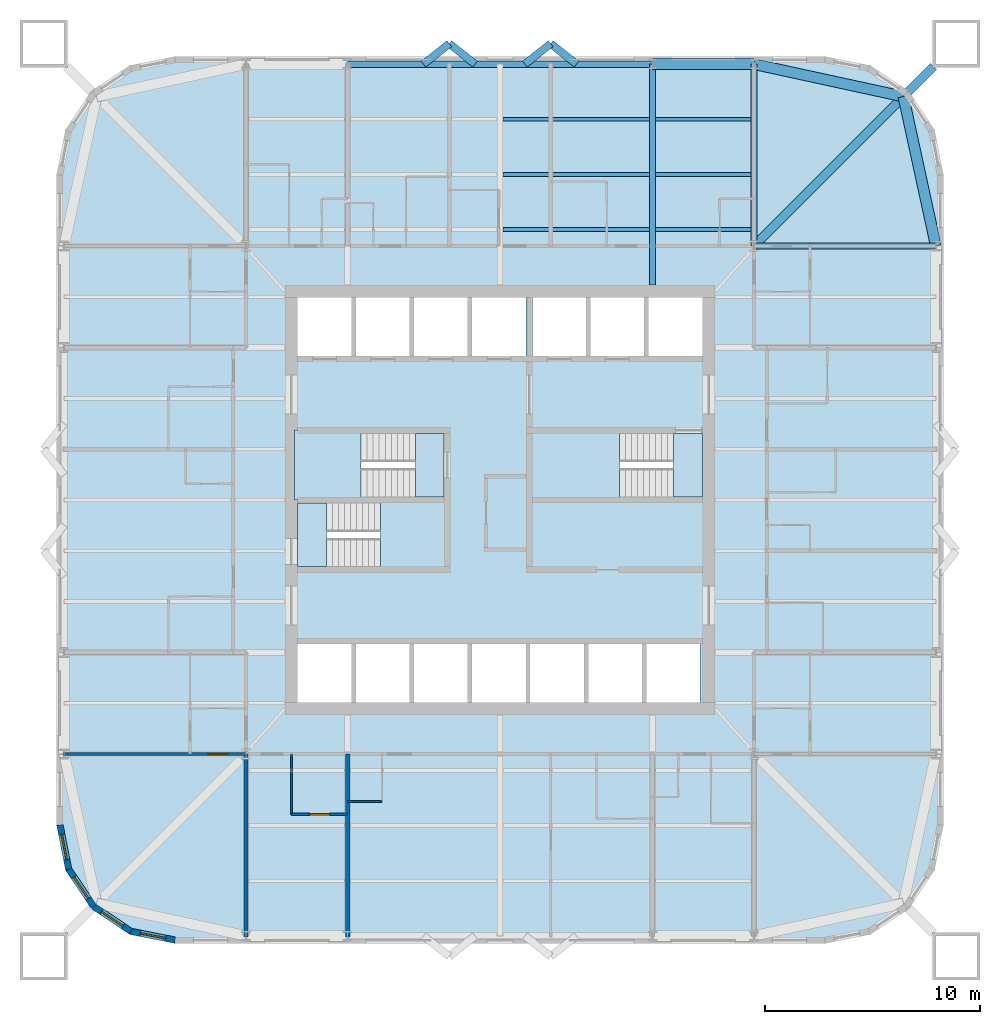
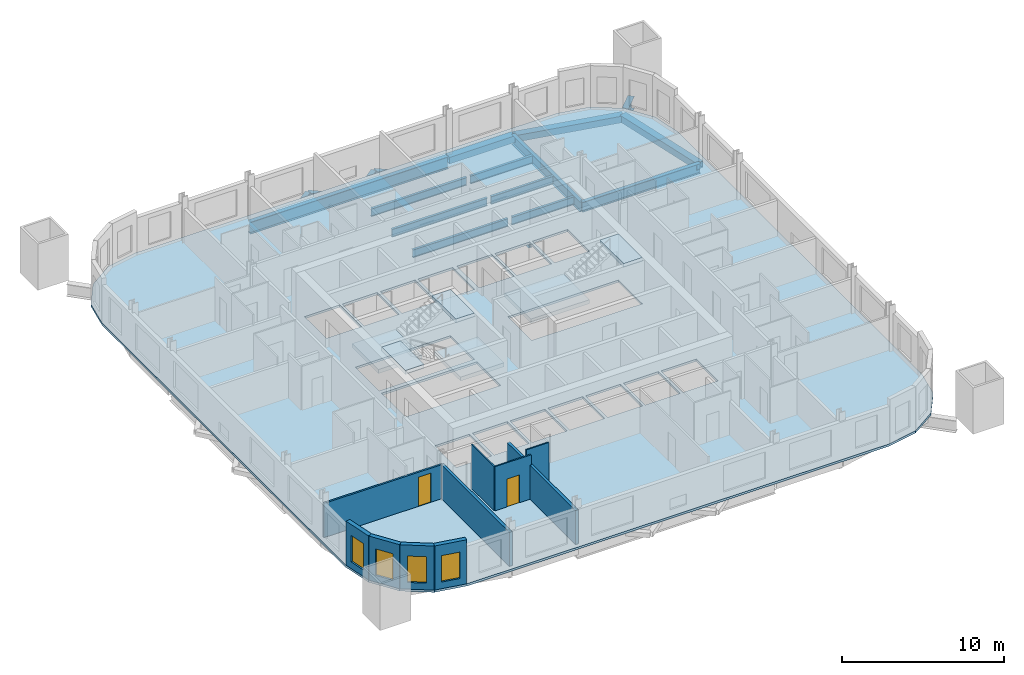
# One storey, part 2 of 9: 18 beams, 10 walls, 7 slabs, 4 windows, 2 doors, 6 openings, 3 elements without a shape of their own.
"""IFC4 building model written with IfcOpenShell, lengths in metres."""

import ifcopenshell
import ifcopenshell.guid

model = None  # the IFC model being written
_history = None  # IfcOwnerHistory: only IFC2X3 demands one
_inside = {}  # id of a spatial element -> (the spatial element, [elements in it])
_under = {}  # id of a project, library or spatial element -> (it, [spatial elements below it])
_declared = {}  # id of a project -> (the project, [libraries it declares])
_typed = {}  # id of a type object -> (the type object, [elements of that type])
_made_of = {}  # id of a material, layer set ... -> (it, [elements and type objects made of it])


def new_model(schema):
    """Start an empty IFC model of exactly this schema.

    Asked for "IFC4X3", IfcOpenShell would pick the latest addendum, in which some entities
    have other attributes; the version numbers below select the first issue.
    IFC2X3 requires an IfcOwnerHistory on every rooted entity: one is made here for all.
    """
    global model, _history
    if schema == "IFC4X3":
        model = ifcopenshell.file(schema_version=(4, 3, 0, 0))
    else:
        model = ifcopenshell.file(schema=schema)
    _inside.clear()
    _under.clear()
    _declared.clear()
    _typed.clear()
    _made_of.clear()
    _history = None
    if model.schema == "IFC2X3":
        org = make("IfcOrganization", Name="unknown")
        user = make(
            "IfcPersonAndOrganization",
            ThePerson=make("IfcPerson", FamilyName="unknown"),
            TheOrganization=org,
        )
        app = make(
            "IfcApplication",
            ApplicationDeveloper=org,
            Version="unknown",
            ApplicationFullName="unknown",
            ApplicationIdentifier="unknown",
        )
        _history = make(
            "IfcOwnerHistory",
            OwningUser=user,
            OwningApplication=app,
            ChangeAction="ADDED",
            CreationDate=0,
        )
    return model


def make(cls, **values):
    """One entity of the class cls with the attributes given. An attribute that is None is left unset."""
    return model.create_entity(
        cls, **{name: value for name, value in values.items() if value is not None}
    )


def rooted(cls, **values):
    """An entity with a GlobalId (a new one), such as an element, a storey or a relation."""
    return make(cls, GlobalId=ifcopenshell.guid.new(), OwnerHistory=_history, **values)


def si_unit(unit_type, name, prefix=None):
    """IfcSIUnit, for example si_unit("LENGTHUNIT", "METRE", prefix="MILLI")."""
    return make("IfcSIUnit", UnitType=unit_type, Prefix=prefix, Name=name)


def assignment(units):
    """IfcUnitAssignment: the units of a project."""
    return None if units is None else make("IfcUnitAssignment", Units=units)


def point(xyz):
    """IfcCartesianPoint."""
    return None if xyz is None else make("IfcCartesianPoint", Coordinates=xyz)


def direction(xyz):
    """IfcDirection."""
    return None if xyz is None else make("IfcDirection", DirectionRatios=xyz)


def frame(location, z_axis=None, x_axis=None):
    """IfcAxis2Placement3D, a coordinate frame: its origin and axes. An axis left out is left unset."""
    return make(
        "IfcAxis2Placement3D",
        Location=point(location),
        Axis=direction(z_axis),
        RefDirection=direction(x_axis),
    )


def frame_2d(location, x_axis=None):
    """IfcAxis2Placement2D, a coordinate frame in the plane: its origin and x axis."""
    return make(
        "IfcAxis2Placement2D", Location=point(location), RefDirection=direction(x_axis)
    )


def origin():
    """The frame at (0, 0, 0) with its axes left unset."""
    return frame((0.0, 0.0, 0.0))


def origin_2d():
    """The frame at (0, 0) in the plane with its x axis left unset."""
    return frame_2d((0.0, 0.0))


def place(relative_to, where):
    """IfcLocalPlacement: puts the frame where relative to a parent placement (None: the world)."""
    return make(
        "IfcLocalPlacement", PlacementRelTo=relative_to, RelativePlacement=where
    )


def context(
    kind, dimensions, precision=None, world=None, true_north=None, identifier=None
):
    """IfcGeometricRepresentationContext, for example the 3D "Model" context."""
    return make(
        "IfcGeometricRepresentationContext",
        ContextIdentifier=identifier,
        ContextType=kind,
        CoordinateSpaceDimension=dimensions,
        Precision=precision,
        WorldCoordinateSystem=world,
        TrueNorth=true_north,
    )


def subcontext(parent, identifier, kind, view, scale=None):
    """IfcGeometricRepresentationSubContext, for example "Body" below "Model"."""
    return make(
        "IfcGeometricRepresentationSubContext",
        ContextIdentifier=identifier,
        ContextType=kind,
        ParentContext=parent,
        TargetScale=scale,
        TargetView=view,
    )


def project(units=None, contexts=None):
    """IfcProject with its units and contexts."""
    return rooted(
        "IfcProject",
        Name="project",
        RepresentationContexts=contexts,
        UnitsInContext=assignment(units),
    )


def spatial(cls, under=None, at=None, **own):
    """A site, building, storey or space (cls), placed at a placement, below another one or the project."""
    s = rooted(cls, ObjectPlacement=at, **own)
    if under is not None:
        _under.setdefault(under.id(), (under, []))[1].append(s)
    return s


def polyline(points):
    """IfcPolyline through the points."""
    return make("IfcPolyline", Points=[point(p) for p in points])


def profile(cls, at=None, kind="AREA", **sizes):
    """A parametric profile (cls). Its sizes go by their IFC names, for example OverallWidth=200.0."""
    return make(cls, ProfileType=kind, Position=at, **sizes)


def rectangle(**sizes):
    """IfcRectangleProfileDef."""
    return profile("IfcRectangleProfileDef", **sizes)


def hollow_rectangle(**sizes):
    """IfcRectangleHollowProfileDef."""
    return profile("IfcRectangleHollowProfileDef", **sizes)


def i_section(**sizes):
    """IfcIShapeProfileDef."""
    return profile("IfcIShapeProfileDef", **sizes)


def outline(outer, holes=None, kind="AREA"):
    """IfcArbitraryClosedProfileDef: a profile drawn as a closed curve; with holes, ...WithVoids."""
    if holes is None:
        return make("IfcArbitraryClosedProfileDef", ProfileType=kind, OuterCurve=outer)
    return make(
        "IfcArbitraryProfileDefWithVoids",
        ProfileType=kind,
        OuterCurve=outer,
        InnerCurves=holes,
    )


def extrude(swept, where, along, depth):
    """IfcExtrudedAreaSolid: the profile swept, set in the frame where, extruded along a direction by depth."""
    return make(
        "IfcExtrudedAreaSolid",
        SweptArea=swept,
        Position=where,
        ExtrudedDirection=direction(along),
        Depth=depth,
    )


def shape(context_of_items, identifier, shape_type, items):
    """IfcShapeRepresentation: the items that make up one representation, for example the "Body"."""
    return make(
        "IfcShapeRepresentation",
        ContextOfItems=context_of_items,
        RepresentationIdentifier=identifier,
        RepresentationType=shape_type,
        Items=items,
    )


def material(Name=None, Category=None):
    """IfcMaterial."""
    return make("IfcMaterial", Name=Name, Category=Category)


def layer(
    of_material, thickness, ventilated=None, Name=None, Category=None, Priority=None
):
    """IfcMaterialLayer: one layer of a wall or slab, of a material (None: an air gap)."""
    return make(
        "IfcMaterialLayer",
        Material=of_material,
        LayerThickness=thickness,
        IsVentilated=ventilated,
        Name=Name,
        Category=Category,
        Priority=Priority,
    )


def layer_set(layers, Name=None):
    """IfcMaterialLayerSet."""
    return make("IfcMaterialLayerSet", MaterialLayers=layers, LayerSetName=Name)


def material_profile(
    of_material, cross_section, Name=None, Category=None, Priority=None
):
    """IfcMaterialProfile: a cross section and its material."""
    return make(
        "IfcMaterialProfile",
        Name=Name,
        Material=of_material,
        Profile=cross_section,
        Priority=Priority,
        Category=Category,
    )


def profile_set(profiles, Name=None, composite=None):
    """IfcMaterialProfileSet."""
    return make(
        "IfcMaterialProfileSet",
        Name=Name,
        MaterialProfiles=profiles,
        CompositeProfile=composite,
    )


def made_of(thing, what):
    """Note that an element or type object is made of a material, layer set ...; save() writes the relation."""
    if what is not None:
        _made_of.setdefault(what.id(), (what, []))[1].append(thing)
    return thing


def type_object(cls, material=None, **own):
    """A type object (cls), such as IfcWallType, which elements share."""
    return made_of(rooted(cls, **own), material)


def element(
    cls,
    number,
    at=None,
    inside=None,
    cuts=None,
    type_object=None,
    material=None,
    context=None,
    identifier="Body",
    shape_type=None,
    held_by="IfcProductDefinitionShape",
    body=None,
    shapes=None,
    **own,
):
    """One element of the class cls, such as IfcWall. Its Tag is "e" and its number.

    at: its placement. inside: the storey or other place that contains it. cuts: it is an
    opening in that element (IfcRelVoidsElement). A single representation is given by context,
    identifier, shape_type and body (its items); several are given by shapes. held_by: the class
    of the entity that holds the representations. save() writes the other relations.
    """
    e = rooted(cls, Tag="e%d" % number, ObjectPlacement=at, **own)
    if body is not None:
        shapes = [shape(context, identifier, shape_type, body)]
    if shapes is not None:
        e.Representation = make(held_by, Representations=shapes)
    if inside is not None:
        _inside.setdefault(inside.id(), (inside, []))[1].append(e)
    if cuts is not None:
        rooted(
            "IfcRelVoidsElement", RelatingBuildingElement=cuts, RelatedOpeningElement=e
        )
    if type_object is not None:
        _typed.setdefault(type_object.id(), (type_object, []))[1].append(e)
    return made_of(e, material)


def fill(opening, filler):
    """IfcRelFillsElement: the door or window that sits in an opening."""
    return rooted(
        "IfcRelFillsElement",
        RelatingOpeningElement=opening,
        RelatedBuildingElement=filler,
    )


def aggregate(whole, parts):
    """IfcRelAggregates: a whole, such as a stair, and the parts it consists of."""
    return rooted("IfcRelAggregates", RelatingObject=whole, RelatedObjects=parts)


def save(model, path):
    """Write the relations noted so far, then the file.

    IfcRelAggregates (storeys below a building ...), IfcRelContainedInSpatialStructure (elements
    in a storey), IfcRelDefinesByType, IfcRelAssociatesMaterial and IfcRelDeclares: one each for
    every whole, place, type object, material and project.
    """
    for whole, parts in _under.values():
        aggregate(whole, parts)
    for where, things in _inside.values():
        rooted(
            "IfcRelContainedInSpatialStructure",
            RelatedElements=things,
            RelatingStructure=where,
        )
    for kind, things in _typed.values():
        rooted("IfcRelDefinesByType", RelatedObjects=things, RelatingType=kind)
    for what, things in _made_of.values():
        rooted("IfcRelAssociatesMaterial", RelatedObjects=things, RelatingMaterial=what)
    for by, libraries in _declared.values():
        rooted("IfcRelDeclares", RelatingContext=by, RelatedDefinitions=libraries)
    model.write(path)


model = new_model("IFC4")

# Units and contexts
model_context = context("Model", 3, precision=1e-05, world=origin(), true_north=direction((0.0, 1.0)))
body_context = subcontext(model_context, "Body", "Model", "MODEL_VIEW")
ifc_project = project(units=[si_unit("LENGTHUNIT", "METRE"), si_unit("AREAUNIT", "SQUARE_METRE"), si_unit("VOLUMEUNIT", "CUBIC_METRE"), si_unit("PLANEANGLEUNIT", "RADIAN"), si_unit("MASSUNIT", "GRAM", prefix="KILO")], contexts=[model_context])

# Site, building, storey
site_placement = place(None, origin())
site = spatial("IfcSite", under=ifc_project, at=site_placement, CompositionType="ELEMENT")
building_placement = place(site_placement, origin())
building = spatial("IfcBuilding", under=site, at=building_placement, Name="Turquesa Mirador Hotel Tower", CompositionType="ELEMENT")
storey_placement = place(building_placement, frame((0.0, 0.0, 121.39990234375)))
storey = spatial("IfcBuildingStorey", under=building, at=storey_placement, Name="L32", CompositionType="ELEMENT", Elevation=121.39990234375)

# Beams
ifc_material_1 = material(Name="Steel ASTM A572 Grade 50", Category="steel")
ifc_material_profile_1 = material_profile(ifc_material_1, hollow_rectangle(XDim=0.5, YDim=0.5, WallThickness=0.01611328125, at=origin_2d()), Name="BOX500X500X16")
ifc_profile_set_1 = profile_set([ifc_material_profile_1], Name="Steel ASTM A572 Grade 50")
beam_type_1 = type_object("IfcBeamType", Name="BEAM BOX500X500X16", PredefinedType="BEAM", material=ifc_profile_set_1)
beam_1_placement = place(storey_placement, frame((62.080078125, 65.25, -0.419921875), z_axis=(1.0, 0.0, 0.0), x_axis=(0.0, 1.0, 0.0)))
element("IfcBeam", 1, at=beam_1_placement, inside=storey, type_object=beam_type_1, Name="EB-L32-N-R", PredefinedType="BEAM", context=body_context, shape_type="SweptSolid", body=[
    extrude(hollow_rectangle(XDim=0.5, YDim=0.5, WallThickness=0.01611328125, at=origin_2d()), origin(), (0.0, 0.0, 1.0), 4.719970703125),
])
for number, where, z_axis, x_axis, name in (
    (2, (75.25, 56.800048828125, -0.419921875), (-0.212328336885, 0.977198381781, 0.0), (-0.977198381781, -0.212328336885, 0.0), "KE-L32-1-0"),
    (3, (73.74169921875, 63.74169921875, -0.419921875), (-0.977198381781, 0.212328336885, 0.0), (-0.212328336885, -0.977198381781, 0.0), "KE-L32-1-1"),
):
    element("IfcBeam", number, at=place(storey_placement, frame(where, z_axis=z_axis, x_axis=x_axis)), inside=storey, type_object=beam_type_1, Name=name, PredefinedType="BEAM", context=body_context, shape_type="SweptSolid", body=[
        extrude(hollow_rectangle(XDim=0.5, YDim=0.5, WallThickness=0.01611328125, at=origin_2d()), origin(), (0.0, 0.0, 1.0), 7.103515625),
    ])
ifc_material_2 = material(Name="Steel ASTM A992 Grade 50", Category="steel")
ifc_material_profile_2 = material_profile(ifc_material_2, i_section(OverallWidth=0.177978515625, OverallDepth=0.599365234375, WebThickness=0.010009765625, FlangeThickness=0.012939453125, at=origin_2d()), Name="W24X55")
ifc_profile_set_2 = profile_set([ifc_material_profile_2], Name="Steel ASTM A992 Grade 50")
beam_type_2 = type_object("IfcBeamType", Name="BEAM W24X55", PredefinedType="BEAM", material=ifc_profile_set_2)
beam_2_placement = place(storey_placement, frame((55.13330078125, 57.56201171875, -0.4697265625), z_axis=(1.0, 0.0, 0.0), x_axis=(0.0, 1.0, 0.0)))
element("IfcBeam", 4, at=beam_2_placement, inside=storey, type_object=beam_type_2, Name="IB-L32-N-1-2", PredefinedType="BEAM", context=body_context, shape_type="SweptSolid", body=[
    extrude(i_section(OverallWidth=0.177978515625, OverallDepth=0.599365234375, WebThickness=0.010009765625, FlangeThickness=0.012939453125, at=origin_2d()), origin(), (0.0, 0.0, 1.0), 6.813232421875),
])
beam_3_placement = place(storey_placement, frame((62.21337890625, 57.56201171875, -0.4697265625), z_axis=(1.0, 0.0, 0.0), x_axis=(0.0, 1.0, 0.0)))
element("IfcBeam", 5, at=beam_3_placement, inside=storey, type_object=beam_type_2, Name="IB-L32-N-1-3", PredefinedType="BEAM", context=body_context, shape_type="SweptSolid", body=[
    extrude(i_section(OverallWidth=0.177978515625, OverallDepth=0.599365234375, WebThickness=0.010009765625, FlangeThickness=0.012939453125, at=origin_2d()), origin(), (0.0, 0.0, 1.0), 4.453369140625),
])
beam_4_placement = place(storey_placement, frame((55.13330078125, 60.125, -0.4697265625), z_axis=(1.0, 0.0, 0.0), x_axis=(0.0, 1.0, 0.0)))
element("IfcBeam", 6, at=beam_4_placement, inside=storey, type_object=beam_type_2, Name="IB-L32-N-2-2", PredefinedType="BEAM", context=body_context, shape_type="SweptSolid", body=[
    extrude(i_section(OverallWidth=0.177978515625, OverallDepth=0.599365234375, WebThickness=0.010009765625, FlangeThickness=0.012939453125, at=origin_2d()), origin(), (0.0, 0.0, 1.0), 6.813232421875),
])
beam_5_placement = place(storey_placement, frame((62.21337890625, 60.125, -0.4697265625), z_axis=(1.0, 0.0, 0.0), x_axis=(0.0, 1.0, 0.0)))
element("IfcBeam", 7, at=beam_5_placement, inside=storey, type_object=beam_type_2, Name="IB-L32-N-2-3", PredefinedType="BEAM", context=body_context, shape_type="SweptSolid", body=[
    extrude(i_section(OverallWidth=0.177978515625, OverallDepth=0.599365234375, WebThickness=0.010009765625, FlangeThickness=0.012939453125, at=origin_2d()), origin(), (0.0, 0.0, 1.0), 4.453369140625),
])
beam_6_placement = place(storey_placement, frame((55.13330078125, 62.68798828125, -0.4697265625), z_axis=(1.0, 0.0, 0.0), x_axis=(0.0, 1.0, 0.0)))
element("IfcBeam", 8, at=beam_6_placement, inside=storey, type_object=beam_type_2, Name="IB-L32-N-3-2", PredefinedType="BEAM", context=body_context, shape_type="SweptSolid", body=[
    extrude(i_section(OverallWidth=0.177978515625, OverallDepth=0.599365234375, WebThickness=0.010009765625, FlangeThickness=0.012939453125, at=origin_2d()), origin(), (0.0, 0.0, 1.0), 6.813232421875),
])
beam_7_placement = place(storey_placement, frame((62.21337890625, 62.68798828125, -0.4697265625), z_axis=(1.0, 0.0, 0.0), x_axis=(0.0, 1.0, 0.0)))
element("IfcBeam", 9, at=beam_7_placement, inside=storey, type_object=beam_type_2, Name="IB-L32-N-3-3", PredefinedType="BEAM", context=body_context, shape_type="SweptSolid", body=[
    extrude(i_section(OverallWidth=0.177978515625, OverallDepth=0.599365234375, WebThickness=0.010009765625, FlangeThickness=0.012939453125, at=origin_2d()), origin(), (0.0, 0.0, 1.0), 4.453369140625),
])
ifc_material_3 = material(Name="Steel ASTM A992 Grade 50", Category="steel")
ifc_material_profile_3 = material_profile(ifc_material_3, i_section(OverallWidth=0.2666015625, OverallDepth=0.7568359375, WebThickness=0.013916015625, FlangeThickness=0.019287109375, at=origin_2d()), Name="W30X108")
ifc_profile_set_3 = profile_set([ifc_material_profile_3], Name="Steel ASTM A992 Grade 50")
beam_type_3 = type_object("IfcBeamType", Name="BEAM W30X108", PredefinedType="BEAM", material=ifc_profile_set_3)
beam_8_placement = place(storey_placement, frame((62.080078125, 65.25, -0.54833984375), z_axis=(0.0, -1.0, 0.0), x_axis=(1.0, 0.0, 0.0)))
element("IfcBeam", 10, at=beam_8_placement, inside=storey, type_object=beam_type_3, Name="GD-L32-N-+7.08", PredefinedType="BEAM", context=body_context, shape_type="SweptSolid", body=[
    extrude(i_section(OverallWidth=0.2666015625, OverallDepth=0.7568359375, WebThickness=0.013916015625, FlangeThickness=0.019287109375, at=origin_2d()), origin(), (0.0, 0.0, 1.0), 10.25),
])
for number, where, z_axis, x_axis, name in (
    (11, (66.800048828125, 65.25, -0.54833984375), (0.0, -1.0, 0.0), (1.0, 0.0, 0.0), "GK-L32-N-+11.80"),
    (12, (75.25, 56.800048828125, -0.54833984375), (-1.0, 0.0, 0.0), (0.0, -1.0, 0.0), "GK-L32-E-+11.80"),
):
    element("IfcBeam", number, at=place(storey_placement, frame(where, z_axis=z_axis, x_axis=x_axis)), inside=storey, type_object=beam_type_3, Name=name, PredefinedType="BEAM", context=body_context, shape_type="SweptSolid", body=[
        extrude(i_section(OverallWidth=0.2666015625, OverallDepth=0.7568359375, WebThickness=0.013916015625, FlangeThickness=0.019287109375, at=origin_2d()), origin(), (0.0, 0.0, 1.0), 8.449951171875),
    ])
ifc_material_4 = material(Name="Steel ASTM A992 Grade 50", Category="steel")
ifc_material_profile_4 = material_profile(ifc_material_4, i_section(OverallWidth=0.3046875, OverallDepth=0.911865234375, WebThickness=0.015869140625, FlangeThickness=0.02392578125, at=origin_2d()), Name="W36X150")
ifc_profile_set_4 = profile_set([ifc_material_profile_4], Name="Steel ASTM A992 Grade 50")
beam_type_4 = type_object("IfcBeamType", Name="BEAM W36X150", PredefinedType="BEAM", material=ifc_profile_set_4)
beam_9_placement = place(storey_placement, frame((47.919921875, 65.25, -0.625732421875), z_axis=(1.0, 0.0, 0.0), x_axis=(0.0, 1.0, 0.0)))
element("IfcBeam", 13, at=beam_9_placement, inside=storey, type_object=beam_type_4, Name="EB-L32-N-C", PredefinedType="BEAM", context=body_context, shape_type="SweptSolid", body=[
    extrude(i_section(OverallWidth=0.3046875, OverallDepth=0.911865234375, WebThickness=0.015869140625, FlangeThickness=0.02392578125, at=origin_2d()), origin(), (0.0, 0.0, 1.0), 14.16015625),
])
ifc_material_5 = material(Name="Steel ASTM A992 Grade 50", Category="steel")
ifc_material_profile_5 = material_profile(ifc_material_5, i_section(OverallWidth=0.419189453125, OverallDepth=0.927001953125, WebThickness=0.019287109375, FlangeThickness=0.031982421875, at=origin_2d()), Name="W36X231")
ifc_profile_set_5 = profile_set([ifc_material_profile_5], Name="Steel ASTM A992 Grade 50")
beam_type_5 = type_object("IfcBeamType", Name="BEAM W36X231", PredefinedType="BEAM", material=ifc_profile_set_5)
beam_10_placement = place(storey_placement, frame((66.800048828125, 56.800048828125, -0.633544921875), z_axis=(0.707106781187, 0.707106781187, 0.0), x_axis=(-0.707106781187, 0.707106781187, 0.0)))
element("IfcBeam", 14, at=beam_10_placement, inside=storey, type_object=beam_type_5, Name="KD-L32-1", PredefinedType="BEAM", context=body_context, shape_type="SweptSolid", body=[
    extrude(i_section(OverallWidth=0.419189453125, OverallDepth=0.927001953125, WebThickness=0.019287109375, FlangeThickness=0.031982421875, at=origin_2d()), origin(), (0.0, 0.0, 1.0), 11.80859375),
])
ifc_material_6 = material(Name="Steel ASTM A500 Grade C", Category="steel")
ifc_material_profile_6 = material_profile(ifc_material_6, hollow_rectangle(XDim=0.355712890625, YDim=0.355712890625, WallThickness=0.0146484375, at=origin_2d()), Name="HSS14X14X5/8")
ifc_profile_set_6 = profile_set([ifc_material_profile_6], Name="Steel ASTM A500 Grade C")
beam_type_6 = type_object("IfcBeamType", Name="BRACE STRUT HSS14X14X5/8", PredefinedType="BEAM", material=ifc_profile_set_6)
beam_11_placement = place(storey_placement, frame((52.64453125, 66.199951171875, -0.34765625), z_axis=(-0.784110506071, -0.620621232531, 0.0), x_axis=(0.620621232531, -0.784110506071, 0.0)))
element("IfcBeam", 15, at=beam_11_placement, inside=storey, type_object=beam_type_6, Name="Brace strut", PredefinedType="BEAM", context=body_context, shape_type="SweptSolid", body=[
    extrude(hollow_rectangle(XDim=0.355712890625, YDim=0.355712890625, WallThickness=0.0146484375, at=origin_2d()), origin(), (0.0, 0.0, 1.0), 1.53076171875),
])
for number, where, z_axis, x_axis, name in (
    (16, (52.64453125, 66.199951171875, -0.34765625), (0.784049059149, -0.620698858423, 0.0), (0.620698858423, 0.784049059149, 0.0), "Brace strut"),
    (17, (57.35546875, 66.199951171875, -0.34765625), (-0.784049059149, -0.620698858423, 0.0), (0.620698858423, -0.784049059149, 0.0), "Brace strut"),
):
    element("IfcBeam", number, at=place(storey_placement, frame(where, z_axis=z_axis, x_axis=x_axis)), inside=storey, type_object=beam_type_6, Name=name, PredefinedType="BEAM", context=body_context, shape_type="SweptSolid", body=[
        extrude(hollow_rectangle(XDim=0.355712890625, YDim=0.355712890625, WallThickness=0.0146484375, at=origin_2d()), origin(), (0.0, 0.0, 1.0), 1.530517578125),
    ])
beam_12_placement = place(storey_placement, frame((57.35546875, 66.199951171875, -0.34765625), z_axis=(0.784110506071, -0.620621232531, 0.0), x_axis=(0.620621232531, 0.784110506071, 0.0)))
element("IfcBeam", 18, at=beam_12_placement, inside=storey, type_object=beam_type_6, Name="Brace strut", PredefinedType="BEAM", context=body_context, shape_type="SweptSolid", body=[
    extrude(hollow_rectangle(XDim=0.355712890625, YDim=0.355712890625, WallThickness=0.0146484375, at=origin_2d()), origin(), (0.0, 0.0, 1.0), 1.53076171875),
])

# Slab
ifc_material_7 = material(Name="Concrete C28/35", Category="concrete")
ifc_layer_1 = layer(ifc_material_7, 0.169921875)
ifc_layer_set_1 = layer_set([ifc_layer_1], Name="COMPOSITE FLOOR SLAB 170")
slab_type_1 = type_object("IfcSlabType", Name="COMPOSITE FLOOR SLAB 170", PredefinedType="FLOOR", material=ifc_layer_set_1)
slab_1_placement = place(storey_placement, frame((0.0, 0.0, -0.169921875)))
element("IfcSlab", 19, at=slab_1_placement, inside=storey, type_object=slab_type_1, Name="Floor slab L32", PredefinedType="FLOOR", context=body_context, shape_type="SweptSolid", body=[
    extrude(outline(polyline([(70.10009765625, 24.39990234375), (72.204833984375, 24.818603515625), (73.989013671875, 26.010986328125), (75.181396484375, 27.795166015625), (75.60009765625, 29.89990234375), (75.60009765625, 60.10009765625), (75.181396484375, 62.204833984375), (73.989013671875, 63.989013671875), (72.204833984375, 65.181396484375), (70.10009765625, 65.60009765625), (39.89990234375, 65.60009765625), (37.795166015625, 65.181396484375), (36.010986328125, 63.989013671875), (34.818603515625, 62.204833984375), (34.39990234375, 60.10009765625), (34.39990234375, 29.89990234375), (34.818603515625, 27.795166015625), (36.010986328125, 26.010986328125), (37.795166015625, 24.818603515625), (39.89990234375, 24.39990234375), (70.10009765625, 24.39990234375)]), holes=[polyline([(45.60009765625, 51.699951171875), (48.10009765625, 51.699951171875), (48.10009765625, 54.39990234375), (45.60009765625, 54.39990234375), (45.60009765625, 51.699951171875)]), polyline([(48.300048828125, 51.699951171875), (50.800048828125, 51.699951171875), (50.800048828125, 54.39990234375), (48.300048828125, 54.39990234375), (48.300048828125, 51.699951171875)]), polyline([(51.0, 51.699951171875), (53.5, 51.699951171875), (53.5, 54.39990234375), (51.0, 54.39990234375), (51.0, 51.699951171875)]), polyline([(53.699951171875, 51.699951171875), (56.199951171875, 51.699951171875), (56.199951171875, 54.39990234375), (53.699951171875, 54.39990234375), (53.699951171875, 51.699951171875)]), polyline([(56.5, 51.699951171875), (59.0, 51.699951171875), (59.0, 54.39990234375), (56.5, 54.39990234375), (56.5, 51.699951171875)]), polyline([(59.199951171875, 51.699951171875), (61.699951171875, 51.699951171875), (61.699951171875, 54.39990234375), (59.199951171875, 54.39990234375), (59.199951171875, 51.699951171875)]), polyline([(45.60009765625, 35.60009765625), (48.10009765625, 35.60009765625), (48.10009765625, 38.300048828125), (45.60009765625, 38.300048828125), (45.60009765625, 35.60009765625)]), polyline([(48.300048828125, 35.60009765625), (50.800048828125, 35.60009765625), (50.800048828125, 38.300048828125), (48.300048828125, 38.300048828125), (48.300048828125, 35.60009765625)]), polyline([(51.0, 35.60009765625), (53.5, 35.60009765625), (53.5, 38.300048828125), (51.0, 38.300048828125), (51.0, 35.60009765625)]), polyline([(53.699951171875, 35.60009765625), (56.199951171875, 35.60009765625), (56.199951171875, 38.300048828125), (53.699951171875, 38.300048828125), (53.699951171875, 35.60009765625)]), polyline([(56.39990234375, 35.60009765625), (58.89990234375, 35.60009765625), (58.89990234375, 38.300048828125), (56.39990234375, 38.300048828125), (56.39990234375, 35.60009765625)]), polyline([(59.10009765625, 35.60009765625), (61.60009765625, 35.60009765625), (61.60009765625, 38.300048828125), (59.10009765625, 38.300048828125), (59.10009765625, 35.60009765625)]), polyline([(61.800048828125, 35.60009765625), (64.300048828125, 35.60009765625), (64.300048828125, 38.300048828125), (61.800048828125, 38.300048828125), (61.800048828125, 35.60009765625)]), polyline([(45.60009765625, 45.14990234375), (52.39990234375, 45.14990234375), (52.39990234375, 48.10009765625), (45.60009765625, 48.10009765625), (45.60009765625, 45.14990234375)]), polyline([(45.60009765625, 41.89990234375), (52.39990234375, 41.89990234375), (52.39990234375, 44.85009765625), (45.60009765625, 44.85009765625), (45.60009765625, 41.89990234375)]), polyline([(56.5, 45.14990234375), (64.39990234375, 45.14990234375), (64.39990234375, 48.10009765625), (56.5, 48.10009765625), (56.5, 45.14990234375)]), polyline([(61.89990234375, 51.699951171875), (64.39990234375, 51.699951171875), (64.39990234375, 54.39990234375), (61.89990234375, 54.39990234375), (61.89990234375, 51.699951171875)])]), origin(), (0.0, 0.0, 1.0), 0.169921875),
])

# Stair, slabs
ifc_material_8 = material(Name="Concrete C35/45", Category="concrete")
stair_type = type_object("IfcStairType", Name="ESCAPE STAIR CORE", PredefinedType="HALF_TURN_STAIR", material=ifc_material_8)
stair_1_placement = place(storey_placement, origin())
stair_1 = element("IfcStair", 20, at=stair_1_placement, inside=storey, type_object=stair_type, Name="Stair ST1 L32 to L33", PredefinedType="HALF_TURN_STAIR")
ifc_material_9 = material(Name="Concrete C35/45", Category="concrete")
ifc_layer_2 = layer(ifc_material_9, 0.300048828125)
ifc_layer_set_2 = layer_set([ifc_layer_2], Name="STAIR LANDING 300")
slab_type_2 = type_object("IfcSlabType", Name="STAIR LANDING 300", PredefinedType="LANDING", material=ifc_layer_set_2)
slab_2_placement = place(storey_placement, frame((0.0, 0.0, 1.4501953125)))
slab_2 = element("IfcSlab", 21, at=slab_2_placement, type_object=slab_type_2, Name="ST1 landing 1", PredefinedType="LANDING", context=body_context, shape_type="SweptSolid", body=[
    extrude(outline(polyline([(45.449951171875, 45.0), (48.550048828125, 45.0), (48.550048828125, 48.25), (45.449951171875, 48.25), (45.449951171875, 45.0)])), origin(), (0.0, 0.0, 1.0), 0.2998046875),
])
slab_3_placement = place(storey_placement, frame((0.0, 0.0, 3.2001953125)))
slab_3 = element("IfcSlab", 22, at=slab_3_placement, type_object=slab_type_2, Name="ST1 landing 2", PredefinedType="LANDING", context=body_context, shape_type="SweptSolid", body=[
    extrude(outline(polyline([(51.070068359375, 45.14990234375), (52.39990234375, 45.14990234375), (52.39990234375, 48.10009765625), (51.070068359375, 48.10009765625), (51.070068359375, 45.14990234375)])), origin(), (0.0, 0.0, 1.0), 0.2998046875),
])
aggregate(stair_1, [slab_2, slab_3])

stair_2_placement = place(storey_placement, origin())
stair_2 = element("IfcStair", 23, at=stair_2_placement, inside=storey, type_object=stair_type, Name="Stair ST2 L32 to L33", PredefinedType="HALF_TURN_STAIR")
slab_4_placement = place(storey_placement, frame((0.0, 0.0, 1.4501953125)))
slab_4 = element("IfcSlab", 24, at=slab_4_placement, type_object=slab_type_2, Name="ST2 landing 1", PredefinedType="LANDING", context=body_context, shape_type="SweptSolid", body=[
    extrude(outline(polyline([(52.550048828125, 45.0), (49.449951171875, 45.0), (49.449951171875, 41.75), (52.550048828125, 41.75), (52.550048828125, 45.0)])), origin(), (0.0, 0.0, 1.0), 0.2998046875),
])
slab_5_placement = place(storey_placement, frame((0.0, 0.0, 3.2001953125)))
slab_5 = element("IfcSlab", 25, at=slab_5_placement, type_object=slab_type_2, Name="ST2 landing 2", PredefinedType="LANDING", context=body_context, shape_type="SweptSolid", body=[
    extrude(outline(polyline([(46.929931640625, 44.85009765625), (45.60009765625, 44.85009765625), (45.60009765625, 41.89990234375), (46.929931640625, 41.89990234375), (46.929931640625, 44.85009765625)])), origin(), (0.0, 0.0, 1.0), 0.2998046875),
])
aggregate(stair_2, [slab_4, slab_5])

stair_3_placement = place(storey_placement, origin())
stair_3 = element("IfcStair", 26, at=stair_3_placement, inside=storey, type_object=stair_type, Name="Stair ST3 L32 to L33", PredefinedType="HALF_TURN_STAIR")
slab_6_placement = place(storey_placement, frame((0.0, 0.0, 1.4501953125)))
slab_6 = element("IfcSlab", 27, at=slab_6_placement, type_object=slab_type_2, Name="ST3 landing 1", PredefinedType="LANDING", context=body_context, shape_type="SweptSolid", body=[
    extrude(outline(polyline([(56.35009765625, 45.0), (60.550048828125, 45.0), (60.550048828125, 48.25), (56.35009765625, 48.25), (56.35009765625, 45.0)])), origin(), (0.0, 0.0, 1.0), 0.2998046875),
])
slab_7_placement = place(storey_placement, frame((0.0, 0.0, 3.2001953125)))
slab_7 = element("IfcSlab", 28, at=slab_7_placement, type_object=slab_type_2, Name="ST3 landing 2", PredefinedType="LANDING", context=body_context, shape_type="SweptSolid", body=[
    extrude(outline(polyline([(63.070068359375, 45.14990234375), (64.39990234375, 45.14990234375), (64.39990234375, 48.10009765625), (63.070068359375, 48.10009765625), (63.070068359375, 45.14990234375)])), origin(), (0.0, 0.0, 1.0), 0.2998046875),
])
aggregate(stair_3, [slab_6, slab_7])

# Wall
ifc_material_10 = material(Name="Gypsum board on steel studs", Category="steel")
ifc_layer_3 = layer(ifc_material_10, 0.10009765625)
ifc_layer_set_3 = layer_set([ifc_layer_3], Name="BATHROOM WALL 100")
wall_type_1 = type_object("IfcWallType", Name="BATHROOM WALL 100", PredefinedType="PARTITIONING", material=ifc_layer_set_3)
wall_1_placement = place(storey_placement, frame((47.919921875, 31.0, 0.0), z_axis=(0.0, 0.0, 1.0), x_axis=(1.0, 0.0, 0.0)))
element("IfcWall", 29, at=wall_1_placement, inside=storey, type_object=wall_type_1, Name="Partition L32 006", PredefinedType="PARTITIONING", context=body_context, shape_type="SweptSolid", body=[
    extrude(rectangle(XDim=1.60009765625, YDim=0.10009765625, at=frame_2d((0.800048828125, 0.0))), origin(), (0.0, 0.0, 1.0), 3.330078125),
])

# Wall, opening, door
wall_2_placement = place(storey_placement, frame((45.320068359375, 30.39990234375, 0.0), z_axis=(0.0, 0.0, 1.0), x_axis=(1.0, 0.0, 0.0)))
wall_2 = element("IfcWall", 30, at=wall_2_placement, inside=storey, type_object=wall_type_1, Name="Partition L32 007", PredefinedType="PARTITIONING", context=body_context, shape_type="SweptSolid", body=[
    extrude(rectangle(XDim=2.599853515625, YDim=0.10009765625, at=frame_2d((1.2998046875, 0.0))), origin(), (0.0, 0.0, 1.0), 3.330078125),
])
opening_1_placement = place(wall_2_placement, frame((0.85009765625, 0.0, 0.0)))
opening_1 = element("IfcOpeningElement", 31, at=opening_1_placement, cuts=wall_2, Name="Opening D02", PredefinedType="OPENING", context=body_context, shape_type="SweptSolid", body=[
    extrude(rectangle(XDim=0.89990234375, YDim=2.10009765625, at=frame_2d((0.449951171875, 1.050048828125))), frame((0.0, 0.06005859375, 0.0), z_axis=(0.0, -1.0, 0.0), x_axis=(1.0, 0.0, 0.0)), (0.0, 0.0, 1.0), 0.1201171875),
])
ifc_material_11 = material(Name="Timber veneered door", Category="wood")
door_type_1 = type_object("IfcDoorType", Name="DOOR 900X2100 EN-SUITE", OperationType="SINGLE_SWING_RIGHT", PredefinedType="DOOR", material=ifc_material_11)
door_1_placement = place(opening_1_placement, origin())
door_1 = element("IfcDoor", 32, at=door_1_placement, inside=storey, type_object=door_type_1, Name="Door 3205B", OperationType="SINGLE_SWING_RIGHT", OverallHeight=2.10009765625, OverallWidth=0.89990234375, PredefinedType="DOOR", context=body_context, shape_type="SweptSolid", body=[
    extrude(rectangle(XDim=0.89990234375, YDim=2.10009765625, at=frame_2d((0.449951171875, 1.050048828125))), frame((0.0, 0.02490234375, 0.0), z_axis=(0.0, -1.0, 0.0), x_axis=(1.0, 0.0, 0.0)), (0.0, 0.0, 1.0), 0.050048828125),
])
fill(opening_1, door_1)

# Wall
wall_3_placement = place(storey_placement, frame((45.320068359375, 30.39990234375, 0.0), z_axis=(0.0, 0.0, 1.0), x_axis=(0.0, 1.0, 0.0)))
element("IfcWall", 33, at=wall_3_placement, inside=storey, type_object=wall_type_1, Name="Partition L32 062", PredefinedType="PARTITIONING", context=body_context, shape_type="SweptSolid", body=[
    extrude(rectangle(XDim=2.800048828125, YDim=0.10009765625, at=frame_2d((1.39990234375, 0.0))), origin(), (0.0, 0.0, 1.0), 3.330078125),
])

# Wall, opening, window
ifc_material_12 = material(Name="Limestone cladding on concrete block", Category="masonry")
ifc_layer_4 = layer(ifc_material_12, 0.300048828125)
ifc_layer_set_4 = layer_set([ifc_layer_4], Name="FACADE WALL 300 STONE SCREEN")
wall_type_2 = type_object("IfcWallType", Name="FACADE WALL 300 STONE SCREEN", PredefinedType="SOLIDWALL", material=ifc_layer_set_4)
wall_4_placement = place(storey_placement, frame((34.550048828125, 29.89990234375, 0.0), z_axis=(0.0, 0.0, 1.0), x_axis=(0.195081421501, -0.980787050784, 0.0)))
wall_4 = element("IfcWall", 34, at=wall_4_placement, inside=storey, type_object=wall_type_2, Name="Facade wall L32 15", PredefinedType="SOLIDWALL", context=body_context, shape_type="SweptSolid", body=[
    extrude(rectangle(XDim=2.08740234375, YDim=0.300048828125, at=frame_2d((1.043701171875, 0.0))), origin(), (0.0, 0.0, 1.0), 3.330078125),
])
opening_2_placement = place(wall_4_placement, frame((0.443603515625, 0.0, 0.5)))
opening_2 = element("IfcOpeningElement", 35, at=opening_2_placement, cuts=wall_4, Name="Opening WN4", PredefinedType="OPENING", context=body_context, shape_type="SweptSolid", body=[
    extrude(rectangle(XDim=1.199951171875, YDim=2.0, at=frame_2d((0.60009765625, 1.0))), frame((0.0, 0.159912109375, 0.0), z_axis=(0.0, -1.0, 0.0), x_axis=(1.0, 0.0, 0.0)), (0.0, 0.0, 1.0), 0.320068359375),
])
ifc_material_13 = material(Name="Ceramic-fritted laminated glass", Category="glass")
window_type = type_object("IfcWindowType", Name="FRITTED CORNER WINDOW 1200X2000", PartitioningType="DOUBLE_PANEL_HORIZONTAL", PredefinedType="WINDOW", material=ifc_material_13)
window_1_placement = place(opening_2_placement, origin())
window_1 = element("IfcWindow", 36, at=window_1_placement, inside=storey, type_object=window_type, Name="Window L32", OverallHeight=2.0, OverallWidth=1.199951171875, PartitioningType="SINGLE_PANEL", PredefinedType="WINDOW", context=body_context, shape_type="SweptSolid", body=[
    extrude(rectangle(XDim=1.199951171875, YDim=2.0, at=frame_2d((0.60009765625, 1.0))), frame((0.0, 0.030029296875, 0.0), z_axis=(0.0, -1.0, 0.0), x_axis=(1.0, 0.0, 0.0)), (0.0, 0.0, 1.0), 0.06005859375),
])
fill(opening_2, window_1)

wall_5_placement = place(storey_placement, frame((34.957275390625, 27.8525390625, 0.0), z_axis=(0.0, 0.0, 1.0), x_axis=(0.555563607591, -0.831474039234, 0.0)))
wall_5 = element("IfcWall", 37, at=wall_5_placement, inside=storey, type_object=wall_type_2, Name="Facade wall L32 16", PredefinedType="SOLIDWALL", context=body_context, shape_type="SweptSolid", body=[
    extrude(rectangle(XDim=2.08740234375, YDim=0.300048828125, at=frame_2d((1.043701171875, 0.0))), origin(), (0.0, 0.0, 1.0), 3.330078125),
])
opening_3_placement = place(wall_5_placement, frame((0.443603515625, 0.0, 0.5)))
opening_3 = element("IfcOpeningElement", 38, at=opening_3_placement, cuts=wall_5, Name="Opening WN4", PredefinedType="OPENING", context=body_context, shape_type="SweptSolid", body=[
    extrude(rectangle(XDim=1.199951171875, YDim=2.0, at=frame_2d((0.60009765625, 1.0))), frame((0.0, 0.159912109375, 0.0), z_axis=(0.0, -1.0, 0.0), x_axis=(1.0, 0.0, 0.0)), (0.0, 0.0, 1.0), 0.320068359375),
])
window_2_placement = place(opening_3_placement, origin())
window_2 = element("IfcWindow", 39, at=window_2_placement, inside=storey, type_object=window_type, Name="Window L32", OverallHeight=2.0, OverallWidth=1.199951171875, PartitioningType="SINGLE_PANEL", PredefinedType="WINDOW", context=body_context, shape_type="SweptSolid", body=[
    extrude(rectangle(XDim=1.199951171875, YDim=2.0, at=frame_2d((0.60009765625, 1.0))), frame((0.0, 0.030029296875, 0.0), z_axis=(0.0, -1.0, 0.0), x_axis=(1.0, 0.0, 0.0)), (0.0, 0.0, 1.0), 0.06005859375),
])
fill(opening_3, window_2)

wall_6_placement = place(storey_placement, frame((36.116943359375, 26.116943359375, 0.0), z_axis=(0.0, 0.0, 1.0), x_axis=(0.831474039234, -0.555563607591, 0.0)))
wall_6 = element("IfcWall", 40, at=wall_6_placement, inside=storey, type_object=wall_type_2, Name="Facade wall L32 17", PredefinedType="SOLIDWALL", context=body_context, shape_type="SweptSolid", body=[
    extrude(rectangle(XDim=2.08740234375, YDim=0.300048828125, at=frame_2d((1.043701171875, 0.0))), origin(), (0.0, 0.0, 1.0), 3.330078125),
])
opening_4_placement = place(wall_6_placement, frame((0.443603515625, 0.0, 0.5)))
opening_4 = element("IfcOpeningElement", 41, at=opening_4_placement, cuts=wall_6, Name="Opening WN4", PredefinedType="OPENING", context=body_context, shape_type="SweptSolid", body=[
    extrude(rectangle(XDim=1.199951171875, YDim=2.0, at=frame_2d((0.60009765625, 1.0))), frame((0.0, 0.159912109375, 0.0), z_axis=(0.0, -1.0, 0.0), x_axis=(1.0, 0.0, 0.0)), (0.0, 0.0, 1.0), 0.320068359375),
])
window_3_placement = place(opening_4_placement, origin())
window_3 = element("IfcWindow", 42, at=window_3_placement, inside=storey, type_object=window_type, Name="Window L32", OverallHeight=2.0, OverallWidth=1.199951171875, PartitioningType="SINGLE_PANEL", PredefinedType="WINDOW", context=body_context, shape_type="SweptSolid", body=[
    extrude(rectangle(XDim=1.199951171875, YDim=2.0, at=frame_2d((0.60009765625, 1.0))), frame((0.0, 0.030029296875, 0.0), z_axis=(0.0, -1.0, 0.0), x_axis=(1.0, 0.0, 0.0)), (0.0, 0.0, 1.0), 0.06005859375),
])
fill(opening_4, window_3)

wall_7_placement = place(storey_placement, frame((37.8525390625, 24.957275390625, 0.0), z_axis=(0.0, 0.0, 1.0), x_axis=(0.980787050784, -0.195081421501, 0.0)))
wall_7 = element("IfcWall", 43, at=wall_7_placement, inside=storey, type_object=wall_type_2, Name="Facade wall L32 18", PredefinedType="SOLIDWALL", context=body_context, shape_type="SweptSolid", body=[
    extrude(rectangle(XDim=2.08740234375, YDim=0.300048828125, at=frame_2d((1.043701171875, 0.0))), origin(), (0.0, 0.0, 1.0), 3.330078125),
])
opening_5_placement = place(wall_7_placement, frame((0.443603515625, 0.0, 0.5)))
opening_5 = element("IfcOpeningElement", 44, at=opening_5_placement, cuts=wall_7, Name="Opening WN4", PredefinedType="OPENING", context=body_context, shape_type="SweptSolid", body=[
    extrude(rectangle(XDim=1.199951171875, YDim=2.0, at=frame_2d((0.60009765625, 1.0))), frame((0.0, 0.159912109375, 0.0), z_axis=(0.0, -1.0, 0.0), x_axis=(1.0, 0.0, 0.0)), (0.0, 0.0, 1.0), 0.320068359375),
])
window_4_placement = place(opening_5_placement, origin())
window_4 = element("IfcWindow", 45, at=window_4_placement, inside=storey, type_object=window_type, Name="Window L32", OverallHeight=2.0, OverallWidth=1.199951171875, PartitioningType="SINGLE_PANEL", PredefinedType="WINDOW", context=body_context, shape_type="SweptSolid", body=[
    extrude(rectangle(XDim=1.199951171875, YDim=2.0, at=frame_2d((0.60009765625, 1.0))), frame((0.0, 0.030029296875, 0.0), z_axis=(0.0, -1.0, 0.0), x_axis=(1.0, 0.0, 0.0)), (0.0, 0.0, 1.0), 0.06005859375),
])
fill(opening_5, window_4)

# Walls
ifc_material_14 = material(Name="Fire-rated gypsum board on steel studs", Category="steel")
ifc_layer_5 = layer(ifc_material_14, 0.199951171875)
ifc_layer_set_5 = layer_set([ifc_layer_5], Name="PARTY WALL 200")
wall_type_3 = type_object("IfcWallType", Name="PARTY WALL 200", PredefinedType="PARTITIONING", material=ifc_layer_set_5)
for number, where, z_axis, x_axis, name in (
    (46, (43.199951171875, 24.699951171875, 0.0), (0.0, 0.0, 1.0), (0.0, 1.0, 0.0), "Partition L32 044"),
    (47, (47.919921875, 24.699951171875, 0.0), (0.0, 0.0, 1.0), (0.0, 1.0, 0.0), "Partition L32 058"),
):
    element("IfcWall", number, at=place(storey_placement, frame(where, z_axis=z_axis, x_axis=x_axis)), inside=storey, type_object=wall_type_3, Name=name, PredefinedType="PARTITIONING", context=body_context, shape_type="SweptSolid", body=[
        extrude(rectangle(XDim=8.5, YDim=0.199951171875, at=frame_2d((4.25, 0.0))), origin(), (0.0, 0.0, 1.0), 2.5732421875),
    ])

# Wall, opening, door
ifc_material_15 = material(Name="Acoustic gypsum board on steel studs", Category="steel")
ifc_layer_6 = layer(ifc_material_15, 0.125)
ifc_layer_set_6 = layer_set([ifc_layer_6], Name="SUITE PARTITION 125")
wall_type_4 = type_object("IfcWallType", Name="SUITE PARTITION 125", PredefinedType="PARTITIONING", material=ifc_layer_set_6)
wall_8_placement = place(storey_placement, frame((34.699951171875, 33.199951171875, 0.0), z_axis=(0.0, 0.0, 1.0), x_axis=(1.0, 0.0, 0.0)))
wall_8 = element("IfcWall", 48, at=wall_8_placement, inside=storey, type_object=wall_type_4, Name="Partition L32 003", PredefinedType="PARTITIONING", context=body_context, shape_type="SweptSolid", body=[
    extrude(rectangle(XDim=8.5, YDim=0.125, at=frame_2d((4.25, 0.0))), origin(), (0.0, 0.0, 1.0), 2.5732421875),
])
opening_6_placement = place(wall_8_placement, frame((6.75, 0.0, 0.0)))
opening_6 = element("IfcOpeningElement", 49, at=opening_6_placement, cuts=wall_8, Name="Opening D17", PredefinedType="OPENING", context=body_context, shape_type="SweptSolid", body=[
    extrude(rectangle(XDim=0.89990234375, YDim=2.199951171875, at=frame_2d((0.449951171875, 1.10009765625))), frame((0.0, 0.072509765625, 0.0), z_axis=(0.0, -1.0, 0.0), x_axis=(1.0, 0.0, 0.0)), (0.0, 0.0, 1.0), 0.14501953125),
])
ifc_material_16 = material(Name="Timber veneered door", Category="wood")
door_type_2 = type_object("IfcDoorType", Name="DOOR 900X2200 SUITE INTERNAL", OperationType="SINGLE_SWING_LEFT", PredefinedType="DOOR", material=ifc_material_16)
door_2_placement = place(opening_6_placement, origin())
door_2 = element("IfcDoor", 50, at=door_2_placement, inside=storey, type_object=door_type_2, Name="Door 3215", OperationType="SINGLE_SWING_LEFT", OverallHeight=2.199951171875, OverallWidth=0.89990234375, PredefinedType="DOOR", context=body_context, shape_type="SweptSolid", body=[
    extrude(rectangle(XDim=0.89990234375, YDim=2.199951171875, at=frame_2d((0.449951171875, 1.10009765625))), frame((0.0, 0.02490234375, 0.0), z_axis=(0.0, -1.0, 0.0), x_axis=(1.0, 0.0, 0.0)), (0.0, 0.0, 1.0), 0.050048828125),
])
fill(opening_6, door_2)

save(model, "model.ifc")
